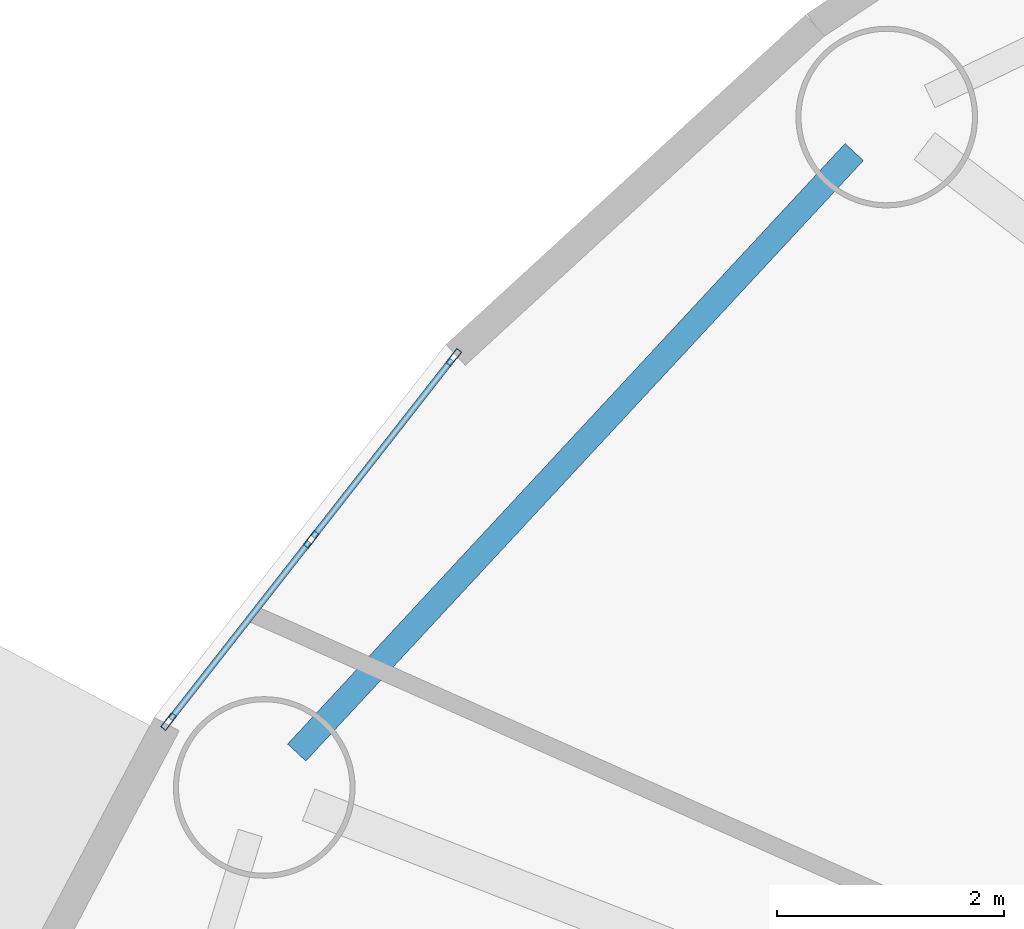
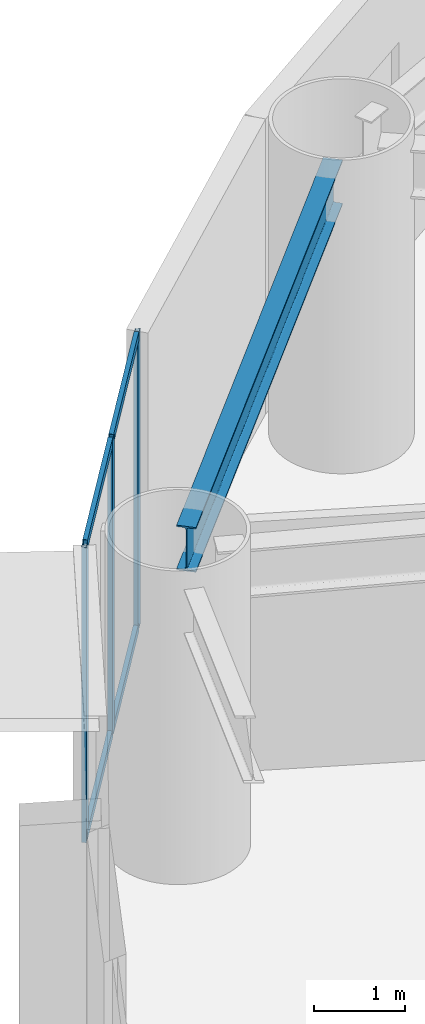
# One storey, part 9 of 32: 7 members, 1 beam, 1 element without a shape of its own.
"""IFC4 building model written with IfcOpenShell, lengths in metres."""

from ifc_helpers import new_model, si_unit, direction, frame, origin, origin_2d, place, context, subcontext, project, spatial, hollow_rectangle, i_section, extrude, source, transform, mapped, material, layer, layer_set, material_profile, profile_set, type_object, element, aggregate, save


model = new_model("IFC4")

# Units and contexts
model_context = context("Model", 3, precision=1e-05, world=origin(), true_north=direction((0.0, 1.0)))
body_context = subcontext(model_context, "Body", "Model", "MODEL_VIEW")
ifc_project = project(units=[si_unit("LENGTHUNIT", "METRE"), si_unit("AREAUNIT", "SQUARE_METRE"), si_unit("VOLUMEUNIT", "CUBIC_METRE"), si_unit("PLANEANGLEUNIT", "RADIAN"), si_unit("MASSUNIT", "GRAM", prefix="KILO")], contexts=[model_context])

# Site, building, storey
site_placement = place(None, origin())
site = spatial("IfcSite", under=ifc_project, at=site_placement, CompositionType="ELEMENT")
building_placement = place(site_placement, origin())
building = spatial("IfcBuilding", under=site, at=building_placement, Name="Linh Dai School and Residence Tower", CompositionType="ELEMENT")
storey_placement = place(building_placement, frame((0.0, 0.0, 53.39990234375)))
storey = spatial("IfcBuildingStorey", under=building, at=storey_placement, Name="L12", CompositionType="ELEMENT", Elevation=53.39990234375)

# Beam
ifc_material_1 = material(Name="Structural Steel S355JR", Category="steel")
ifc_material_profile_1 = material_profile(ifc_material_1, i_section(OverallWidth=0.219970703125, OverallDepth=0.60009765625, WebThickness=0.011962890625, FlangeThickness=0.01904296875, FilletRadius=0.02392578125, at=origin_2d()), Name="IPE 600")
ifc_profile_set_1 = profile_set([ifc_material_profile_1], Name="Structural Steel S355JR")
beam_type = type_object("IfcBeamType", Name="BM-RB60", PredefinedType="BEAM", material=ifc_profile_set_1)
beam_placement = place(storey_placement, frame((14.361572265625, 43.061279296875, 3.650146484375), z_axis=(-0.680408287194, -0.732833243458, 0.0), x_axis=(0.732833243458, -0.680408287194, 0.0)))
element("IfcBeam", 1, at=beam_placement, inside=storey, type_object=beam_type, Name="L12 Perimeter Elliptical Ring Beam 07", PredefinedType="BEAM", context=body_context, shape_type="SweptSolid", body=[
    extrude(i_section(OverallWidth=0.219970703125, OverallDepth=0.60009765625, WebThickness=0.011962890625, FlangeThickness=0.01904296875, FilletRadius=0.02392578125, at=origin_2d()), origin(), (0.0, 0.0, 1.0), 7.21826171875),
])

# Curtain wall, members
ifc_material_2 = material(Name="Aluminium Anodised Curtain Wall", Category="aluminium")
ifc_layer = layer(ifc_material_2, 0.159912109375)
ifc_layer_set = layer_set([ifc_layer], Name="Aluminium Anodised Curtain Wall")
curtain_wall_type = type_object("IfcCurtainWallType", Name="CW-SYS-3", PredefinedType="USERDEFINED", material=ifc_layer_set)
curtain_wall_placement = place(storey_placement, origin())
curtain_wall = element("IfcCurtainWall", 2, at=curtain_wall_placement, inside=storey, type_object=curtain_wall_type, Name="L12 CW3 Curtain Wall 17", ObjectType="RIBBON CURTAIN WALL", PredefinedType="USERDEFINED")
ifc_material_3 = material(Name="Aluminium Alloy 6063-T6", Category="aluminium")
ifc_material_profile_2 = material_profile(ifc_material_3, hollow_rectangle(XDim=0.054931640625, YDim=0.159912109375, WallThickness=0.00390625, at=origin_2d()), Name="RHS 160x55x4")
ifc_profile_set_2 = profile_set([ifc_material_profile_2], Name="Aluminium Alloy 6063-T6")
member_type_1 = type_object("IfcMemberType", Name="CW-SYS-3-MUL", PredefinedType="MULLION", material=ifc_profile_set_2)
shared_shape_1 = source(origin(), body_context, "Body", "SweptSolid", [
    extrude(hollow_rectangle(XDim=0.054931640625, YDim=0.159912109375, WallThickness=0.00390625, at=origin_2d()), origin(), (0.0, 0.0, 1.0), 3.9501953125),
])
member_1_placement = place(storey_placement, frame((8.322265625, 38.04443359375, 0.0), z_axis=(0.0, 0.0, 1.0), x_axis=(-0.787496262172, 0.616319427785, 0.0)))
member_1 = element("IfcMember", 3, at=member_1_placement, type_object=member_type_1, Name="CW3 mullion 1", PredefinedType="MULLION", context=body_context, shape_type="MappedRepresentation", body=[
    mapped(shared_shape_1, transform((0.0, 0.0, 0.0), x_axis=(1.0, 0.0, 0.0), y_axis=(0.0, 1.0, 0.0), z_axis=(0.0, 0.0, 1.0), scale=1.0)),
])
member_2_placement = place(storey_placement, frame((9.577880859375, 39.648681640625, 0.0), z_axis=(0.0, 0.0, 1.0), x_axis=(-0.787496262172, 0.616319427785, 0.0)))
member_2 = element("IfcMember", 4, at=member_2_placement, type_object=member_type_1, Name="CW3 mullion 2", PredefinedType="MULLION", context=body_context, shape_type="MappedRepresentation", body=[
    mapped(shared_shape_1, transform((0.0, 0.0, 0.0), x_axis=(1.0, 0.0, 0.0), y_axis=(0.0, 1.0, 0.0), z_axis=(0.0, 0.0, 1.0), scale=1.0)),
])
member_3_placement = place(storey_placement, frame((10.833251953125, 41.2529296875, 0.0), z_axis=(0.0, 0.0, 1.0), x_axis=(-0.787496262172, 0.616319427785, 0.0)))
member_3 = element("IfcMember", 5, at=member_3_placement, type_object=member_type_1, Name="CW3 mullion 3", PredefinedType="MULLION", context=body_context, shape_type="MappedRepresentation", body=[
    mapped(shared_shape_1, transform((0.0, 0.0, 0.0), x_axis=(1.0, 0.0, 0.0), y_axis=(0.0, 1.0, 0.0), z_axis=(0.0, 0.0, 1.0), scale=1.0)),
])
ifc_material_profile_3 = material_profile(ifc_material_3, hollow_rectangle(XDim=0.054931640625, YDim=0.1201171875, WallThickness=0.00390625, at=origin_2d()), Name="RHS 120x55x4")
ifc_profile_set_3 = profile_set([ifc_material_profile_3], Name="Aluminium Alloy 6063-T6")
member_type_2 = type_object("IfcMemberType", Name="CW-SYS-3-TRN", PredefinedType="USERDEFINED", material=ifc_profile_set_3)
shared_shape_2 = source(origin(), body_context, "Body", "SweptSolid", [
    extrude(hollow_rectangle(XDim=0.054931640625, YDim=0.1201171875, WallThickness=0.00390625, at=origin_2d()), origin(), (0.0, 0.0, 1.0), 1.98193359375),
])
member_4_placement = place(storey_placement, frame((8.33935546875, 38.066162109375, 0.027587890625), z_axis=(0.616291654008, 0.787517998016, 0.0), x_axis=(-0.787517998016, 0.616291654008, 0.0)))
member_4 = element("IfcMember", 6, at=member_4_placement, type_object=member_type_2, Name="CW3 transom 1.1", ObjectType="TRANSOM", PredefinedType="USERDEFINED", context=body_context, shape_type="MappedRepresentation", body=[
    mapped(shared_shape_2, transform((0.0, 0.0, 0.0), x_axis=(1.0, 0.0, 0.0), y_axis=(0.0, 1.0, 0.0), z_axis=(0.0, 0.0, 1.0), scale=1.0)),
])
member_5_placement = place(storey_placement, frame((8.33935546875, 38.066162109375, 3.922607421875), z_axis=(0.616291654008, 0.787517998016, 0.0), x_axis=(-0.787517998016, 0.616291654008, 0.0)))
member_5 = element("IfcMember", 7, at=member_5_placement, type_object=member_type_2, Name="CW3 transom 1.2", ObjectType="TRANSOM", PredefinedType="USERDEFINED", context=body_context, shape_type="MappedRepresentation", body=[
    mapped(shared_shape_2, transform((0.0, 0.0, 0.0), x_axis=(1.0, 0.0, 0.0), y_axis=(0.0, 1.0, 0.0), z_axis=(0.0, 0.0, 1.0), scale=1.0)),
])
shared_shape_3 = source(origin(), body_context, "Body", "SweptSolid", [
    extrude(hollow_rectangle(XDim=0.054931640625, YDim=0.1201171875, WallThickness=0.00390625, at=origin_2d()), origin(), (0.0, 0.0, 1.0), 1.982177734375),
])
member_6_placement = place(storey_placement, frame((9.5947265625, 39.67041015625, 0.027587890625), z_axis=(0.616368042389, 0.787458212429, 0.0), x_axis=(-0.787458212429, 0.616368042389, 0.0)))
member_6 = element("IfcMember", 8, at=member_6_placement, type_object=member_type_2, Name="CW3 transom 2.1", ObjectType="TRANSOM", PredefinedType="USERDEFINED", context=body_context, shape_type="MappedRepresentation", body=[
    mapped(shared_shape_3, transform((0.0, 0.0, 0.0), x_axis=(1.0, 0.0, 0.0), y_axis=(0.0, 1.0, 0.0), z_axis=(0.0, 0.0, 1.0), scale=1.0)),
])
member_7_placement = place(storey_placement, frame((9.5947265625, 39.67041015625, 3.922607421875), z_axis=(0.616368042389, 0.787458212429, 0.0), x_axis=(-0.787458212429, 0.616368042389, 0.0)))
member_7 = element("IfcMember", 9, at=member_7_placement, type_object=member_type_2, Name="CW3 transom 2.2", ObjectType="TRANSOM", PredefinedType="USERDEFINED", context=body_context, shape_type="MappedRepresentation", body=[
    mapped(shared_shape_3, transform((0.0, 0.0, 0.0), x_axis=(1.0, 0.0, 0.0), y_axis=(0.0, 1.0, 0.0), z_axis=(0.0, 0.0, 1.0), scale=1.0)),
])
aggregate(curtain_wall, [member_1, member_2, member_3, member_4, member_5, member_6, member_7])

save(model, "model.ifc")
